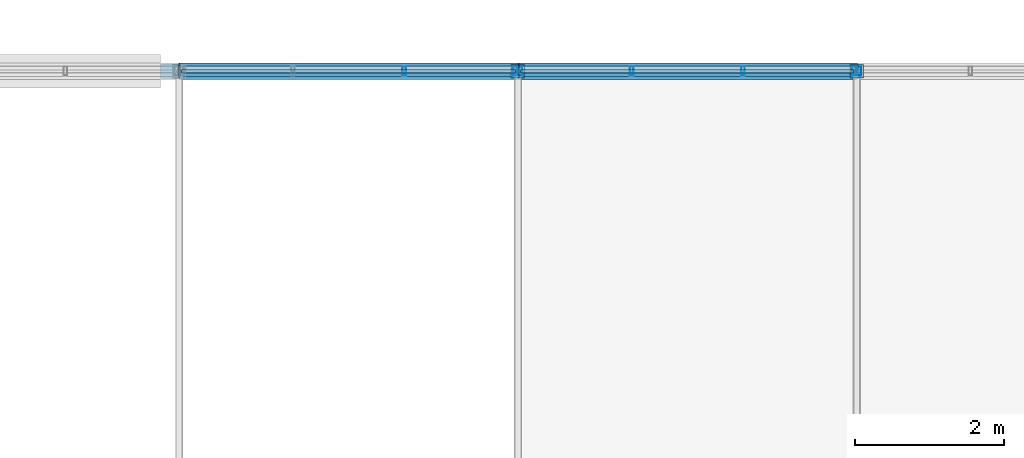
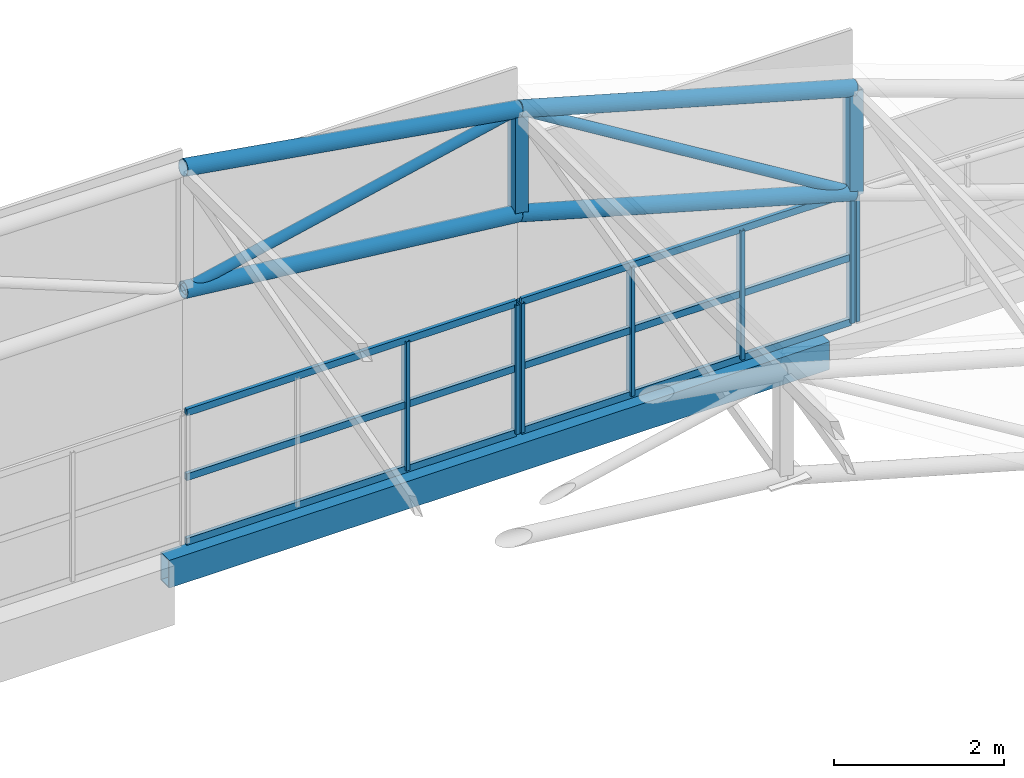
# One storey, part 73 of 101: 21 members, 1 beam, 3 elements without a shape of their own.
"""IFC4 building model written with IfcOpenShell, lengths in metres."""

from ifc_helpers import new_model, si_unit, direction, frame, origin, origin_2d, place, context, subcontext, project, spatial, hollow_rectangle, hollow_circle, extrude, material, material_profile, profile_set, type_object, element, aggregate, save


model = new_model("IFC4")

# Units and contexts
model_context = context("Model", 3, precision=1e-05, world=origin(), true_north=direction((0.0, 1.0)))
body_context = subcontext(model_context, "Body", "Model", "MODEL_VIEW")
ifc_project = project(units=[si_unit("LENGTHUNIT", "METRE"), si_unit("AREAUNIT", "SQUARE_METRE"), si_unit("VOLUMEUNIT", "CUBIC_METRE"), si_unit("PLANEANGLEUNIT", "RADIAN"), si_unit("MASSUNIT", "GRAM", prefix="KILO")], contexts=[model_context])

# Site, building, storey
site_placement = place(None, origin())
site = spatial("IfcSite", under=ifc_project, at=site_placement, CompositionType="ELEMENT")
building_placement = place(site_placement, origin())
building = spatial("IfcBuilding", under=site, at=building_placement, Name="Solvikara Media Centre", CompositionType="ELEMENT")
storey_placement = place(building_placement, frame((0.0, 0.0, 10.199951171875)))
storey = spatial("IfcBuildingStorey", under=building, at=storey_placement, Name="L02", CompositionType="ELEMENT", Elevation=10.199951171875)

# Beam
ifc_material_1 = material(Name="Steel S355JR", Category="steel")
ifc_material_profile_1 = material_profile(ifc_material_1, hollow_rectangle(XDim=0.199951171875, YDim=0.39990234375, WallThickness=0.011962890625, at=origin_2d()), Name="RHS 400x200x12")
ifc_profile_set_1 = profile_set([ifc_material_profile_1], Name="Steel S355JR")
beam_type = type_object("IfcBeamType", Name="BM-33", PredefinedType="SPANDREL", material=ifc_profile_set_1)
beam_placement = place(storey_placement, frame((145.5, 114.0, -0.300048828125), z_axis=(1.0, 0.0, 0.0), x_axis=(0.0, 1.0, 0.0)))
element("IfcBeam", 1, at=beam_placement, inside=storey, type_object=beam_type, Name="B-L02-X0907", PredefinedType="SPANDREL", context=body_context, shape_type="SweptSolid", body=[
    extrude(hollow_rectangle(XDim=0.199951171875, YDim=0.39990234375, WallThickness=0.011962890625, at=origin_2d()), origin(), (0.0, 0.0, 1.0), 9.0),
])

# Members
ifc_material_profile_2 = material_profile(ifc_material_1, hollow_circle(Radius=0.109619140625, WallThickness=0.008056640625, at=origin_2d()), Name="CHS 219.1x8")
ifc_profile_set_2 = profile_set([ifc_material_profile_2], Name="Steel S355JR")
member_type_1 = type_object("IfcMemberType", Name="MB-05", PredefinedType="CHORD", material=ifc_profile_set_2)
member_1_placement = place(storey_placement, frame((145.75, 114.0, 5.41015625), z_axis=(0.986711742418, 0.0, -0.162480575373), x_axis=(0.0, 1.0, 0.0)))
element("IfcMember", 2, at=member_1_placement, inside=storey, type_object=member_type_1, Name="BSB-TC-04-04", PredefinedType="CHORD", context=body_context, shape_type="SweptSolid", body=[
    extrude(hollow_circle(Radius=0.109619140625, WallThickness=0.008056640625, at=origin_2d()), origin(), (0.0, 0.0, 1.0), 4.62353515625),
])
member_2_placement = place(storey_placement, frame((145.75, 114.0, 3.650146484375), z_axis=(0.994253057295, 0.0, -0.107055397157), x_axis=(0.0, 1.0, 0.0)))
element("IfcMember", 3, at=member_2_placement, inside=storey, type_object=member_type_1, Name="BSB-BC-04-04", PredefinedType="CHORD", context=body_context, shape_type="SweptSolid", body=[
    extrude(hollow_circle(Radius=0.109619140625, WallThickness=0.008056640625, at=origin_2d()), origin(), (0.0, 0.0, 1.0), 4.58837890625),
])
for number, where, z_axis, x_axis, name in (
    (4, (150.31201171875, 114.0, 4.658935546875), (0.962119975268, 0.0, -0.272626398556), (0.0, 1.0, 0.0), "BSB-TC-04-05"),
    (5, (150.31201171875, 114.0, 3.158935546875), (0.962119975268, 0.0, -0.272626398556), (0.0, 1.0, 0.0), "BSB-BC-04-05"),
):
    element("IfcMember", number, at=place(storey_placement, frame(where, z_axis=z_axis, x_axis=x_axis)), inside=storey, type_object=member_type_1, Name=name, PredefinedType="CHORD", context=body_context, shape_type="SweptSolid", body=[
        extrude(hollow_circle(Radius=0.109619140625, WallThickness=0.008056640625, at=origin_2d()), origin(), (0.0, 0.0, 1.0), 4.74267578125),
    ])
ifc_material_profile_3 = material_profile(ifc_material_1, hollow_circle(Radius=0.06982421875, WallThickness=0.00634765625, at=origin_2d()), Name="CHS 139.7x6.3")
ifc_profile_set_3 = profile_set([ifc_material_profile_3], Name="Steel S355JR")
member_type_2 = type_object("IfcMemberType", Name="MB-08", PredefinedType="BRACE", material=ifc_profile_set_3)
member_3_placement = place(storey_placement, frame((145.75, 114.0, 3.650146484375), z_axis=(0.976412757167, 0.0, 0.215912314707), x_axis=(0.0, 1.0, 0.0)))
element("IfcMember", 6, at=member_3_placement, inside=storey, type_object=member_type_2, Name="BSB-DG-04-04", PredefinedType="BRACE", context=body_context, shape_type="SweptSolid", body=[
    extrude(hollow_circle(Radius=0.06982421875, WallThickness=0.00634765625, at=origin_2d()), origin(), (0.0, 0.0, 1.0), 4.672119140625),
])
member_4_placement = place(storey_placement, frame((150.31201171875, 114.0, 4.658935546875), z_axis=(0.852909361519, 0.0, -0.522059020641), x_axis=(0.0, 1.0, 0.0)))
element("IfcMember", 7, at=member_4_placement, inside=storey, type_object=member_type_2, Name="BSB-DG-04-05", PredefinedType="BRACE", context=body_context, shape_type="SweptSolid", body=[
    extrude(hollow_circle(Radius=0.06982421875, WallThickness=0.00634765625, at=origin_2d()), origin(), (0.0, 0.0, 1.0), 5.349853515625),
])
ifc_material_profile_4 = material_profile(ifc_material_1, hollow_rectangle(XDim=0.179931640625, YDim=0.179931640625, WallThickness=0.008056640625, at=origin_2d()), Name="RHS 180x180x8")
ifc_profile_set_4 = profile_set([ifc_material_profile_4], Name="Steel S355JR")
member_type_3 = type_object("IfcMemberType", Name="MB-14", PredefinedType="BRACE", material=ifc_profile_set_4)
for number, where, z_axis, x_axis, name in (
    (8, (150.31201171875, 114.0, 3.158935546875), (0.0, 0.0, 1.0), (1.0, 0.0, 0.0), "BSB-VT-04-05"),
    (9, (154.875, 114.0, 1.865966796875), (0.0, 0.0, 1.0), (1.0, 0.0, 0.0), "BSB-VT-04-06"),
):
    element("IfcMember", number, at=place(storey_placement, frame(where, z_axis=z_axis, x_axis=x_axis)), inside=storey, type_object=member_type_3, Name=name, PredefinedType="BRACE", context=body_context, shape_type="SweptSolid", body=[
        extrude(hollow_rectangle(XDim=0.179931640625, YDim=0.179931640625, WallThickness=0.008056640625, at=origin_2d()), origin(), (0.0, 0.0, 1.0), 1.5),
    ])

# Curtain wall, members
ifc_material_2 = material(Name="Anodised aluminium EN AW-6063", Category="aluminium")
curtain_wall_type = type_object("IfcCurtainWallType", Name="CW-12", PredefinedType="NOTDEFINED", material=ifc_material_2)
curtain_wall_1_placement = place(storey_placement, origin())
curtain_wall_1 = element("IfcCurtainWall", 10, at=curtain_wall_1_placement, inside=storey, type_object=curtain_wall_type, Name="CW-BSBN-CLR-04", PredefinedType="NOTDEFINED")
ifc_material_profile_5 = material_profile(ifc_material_2, hollow_rectangle(XDim=0.050048828125, YDim=0.1201171875, WallThickness=0.0029296875, at=origin_2d()), Name="ALU-M 50x120x3")
ifc_profile_set_5 = profile_set([ifc_material_profile_5], Name="Anodised aluminium EN AW-6063")
member_type_4 = type_object("IfcMemberType", Name="MF-06", PredefinedType="MULLION", material=ifc_profile_set_5)
member_5_placement = place(storey_placement, frame((148.780029296875, 114.0, 0.02001953125), z_axis=(0.0, 0.0, 1.0), x_axis=(1.0, 0.0, 0.0)))
member_5 = element("IfcMember", 11, at=member_5_placement, type_object=member_type_4, Name="CW-BSBN-CLR-04-M02", PredefinedType="MULLION", context=body_context, shape_type="SweptSolid", body=[
    extrude(hollow_rectangle(XDim=0.050048828125, YDim=0.1201171875, WallThickness=0.0029296875, at=origin_2d()), origin(), (0.0, 0.0, 1.0), 1.860107421875),
])
member_6_placement = place(storey_placement, frame((150.277099609375, 114.0, 0.02001953125), z_axis=(0.0, 0.0, 1.0), x_axis=(1.0, 0.0, 0.0)))
member_6 = element("IfcMember", 12, at=member_6_placement, type_object=member_type_4, Name="CW-BSBN-CLR-04-M03", PredefinedType="MULLION", context=body_context, shape_type="SweptSolid", body=[
    extrude(hollow_rectangle(XDim=0.050048828125, YDim=0.1201171875, WallThickness=0.0029296875, at=origin_2d()), origin(), (0.0, 0.0, 1.0), 1.860107421875),
])

curtain_wall_2_placement = place(storey_placement, origin())
curtain_wall_2 = element("IfcCurtainWall", 13, at=curtain_wall_2_placement, inside=storey, type_object=curtain_wall_type, Name="CW-BSBN-CLR-05", PredefinedType="NOTDEFINED")
member_7_placement = place(storey_placement, frame((150.346923828125, 114.0, 0.02001953125), z_axis=(0.0, 0.0, 1.0), x_axis=(1.0, 0.0, 0.0)))
member_7 = element("IfcMember", 14, at=member_7_placement, type_object=member_type_4, Name="CW-BSBN-CLR-05-M00", PredefinedType="MULLION", context=body_context, shape_type="SweptSolid", body=[
    extrude(hollow_rectangle(XDim=0.050048828125, YDim=0.1201171875, WallThickness=0.0029296875, at=origin_2d()), origin(), (0.0, 0.0, 1.0), 1.860107421875),
])
member_8_placement = place(storey_placement, frame((151.844970703125, 114.0, 0.02001953125), z_axis=(0.0, 0.0, 1.0), x_axis=(1.0, 0.0, 0.0)))
member_8 = element("IfcMember", 15, at=member_8_placement, type_object=member_type_4, Name="CW-BSBN-CLR-05-M01", PredefinedType="MULLION", context=body_context, shape_type="SweptSolid", body=[
    extrude(hollow_rectangle(XDim=0.050048828125, YDim=0.1201171875, WallThickness=0.0029296875, at=origin_2d()), origin(), (0.0, 0.0, 1.0), 1.860107421875),
])
member_9_placement = place(storey_placement, frame((153.342041015625, 114.0, 0.02001953125), z_axis=(0.0, 0.0, 1.0), x_axis=(1.0, 0.0, 0.0)))
member_9 = element("IfcMember", 16, at=member_9_placement, type_object=member_type_4, Name="CW-BSBN-CLR-05-M02", PredefinedType="MULLION", context=body_context, shape_type="SweptSolid", body=[
    extrude(hollow_rectangle(XDim=0.050048828125, YDim=0.1201171875, WallThickness=0.0029296875, at=origin_2d()), origin(), (0.0, 0.0, 1.0), 1.860107421875),
])
member_10_placement = place(storey_placement, frame((154.840087890625, 114.0, 0.02001953125), z_axis=(0.0, 0.0, 1.0), x_axis=(1.0, 0.0, 0.0)))
member_10 = element("IfcMember", 17, at=member_10_placement, type_object=member_type_4, Name="CW-BSBN-CLR-05-M03", PredefinedType="MULLION", context=body_context, shape_type="SweptSolid", body=[
    extrude(hollow_rectangle(XDim=0.050048828125, YDim=0.1201171875, WallThickness=0.0029296875, at=origin_2d()), origin(), (0.0, 0.0, 1.0), 1.860107421875),
])

# Curtain wall, member
curtain_wall_3_placement = place(storey_placement, origin())
curtain_wall_3 = element("IfcCurtainWall", 18, at=curtain_wall_3_placement, inside=storey, type_object=curtain_wall_type, Name="CW-BSBN-CLR-06", PredefinedType="NOTDEFINED")
member_11_placement = place(storey_placement, frame((154.909912109375, 114.0, 0.02001953125), z_axis=(0.0, 0.0, 1.0), x_axis=(1.0, 0.0, 0.0)))
member_11 = element("IfcMember", 19, at=member_11_placement, type_object=member_type_4, Name="CW-BSBN-CLR-06-M00", PredefinedType="MULLION", context=body_context, shape_type="SweptSolid", body=[
    extrude(hollow_rectangle(XDim=0.050048828125, YDim=0.1201171875, WallThickness=0.0029296875, at=origin_2d()), origin(), (0.0, 0.0, 1.0), 1.860107421875),
])
aggregate(curtain_wall_3, [member_11])

# Member
ifc_material_profile_6 = material_profile(ifc_material_2, hollow_rectangle(XDim=0.050048828125, YDim=0.10009765625, WallThickness=0.0029296875, at=origin_2d()), Name="ALU-T 50x100x3")
ifc_profile_set_6 = profile_set([ifc_material_profile_6], Name="Anodised aluminium EN AW-6063")
member_type_5 = type_object("IfcMemberType", Name="MF-12", PredefinedType="USERDEFINED", material=ifc_profile_set_6)
member_12_placement = place(storey_placement, frame((145.784912109375, 114.0, 0.02001953125), z_axis=(1.0, 0.0, 0.0), x_axis=(0.0, 1.0, 0.0)))
member_12 = element("IfcMember", 20, at=member_12_placement, type_object=member_type_5, Name="CW-BSBN-CLR-04-T00", ObjectType="TRANSOM", PredefinedType="USERDEFINED", context=body_context, shape_type="SweptSolid", body=[
    extrude(hollow_rectangle(XDim=0.050048828125, YDim=0.10009765625, WallThickness=0.0029296875, at=origin_2d()), origin(), (0.0, 0.0, 1.0), 4.4921875),
])

member_13_placement = place(storey_placement, frame((145.784912109375, 114.0, 0.949951171875), z_axis=(1.0, 0.0, 0.0), x_axis=(0.0, 1.0, 0.0)))
member_13 = element("IfcMember", 21, at=member_13_placement, type_object=member_type_5, Name="CW-BSBN-CLR-04-T01", ObjectType="TRANSOM", PredefinedType="USERDEFINED", context=body_context, shape_type="SweptSolid", body=[
    extrude(hollow_rectangle(XDim=0.050048828125, YDim=0.10009765625, WallThickness=0.0029296875, at=origin_2d()), origin(), (0.0, 0.0, 1.0), 4.4921875),
])

member_14_placement = place(storey_placement, frame((145.784912109375, 114.0, 1.880126953125), z_axis=(1.0, 0.0, 0.0), x_axis=(0.0, 1.0, 0.0)))
member_14 = element("IfcMember", 22, at=member_14_placement, type_object=member_type_5, Name="CW-BSBN-CLR-04-T02", ObjectType="TRANSOM", PredefinedType="USERDEFINED", context=body_context, shape_type="SweptSolid", body=[
    extrude(hollow_rectangle(XDim=0.050048828125, YDim=0.10009765625, WallThickness=0.0029296875, at=origin_2d()), origin(), (0.0, 0.0, 1.0), 4.4921875),
])

aggregate(curtain_wall_1, [member_5, member_6, member_12, member_13, member_14])

member_15_placement = place(storey_placement, frame((150.346923828125, 114.0, 0.02001953125), z_axis=(1.0, 0.0, 0.0), x_axis=(0.0, 1.0, 0.0)))
member_15 = element("IfcMember", 23, at=member_15_placement, type_object=member_type_5, Name="CW-BSBN-CLR-05-T00", ObjectType="TRANSOM", PredefinedType="USERDEFINED", context=body_context, shape_type="SweptSolid", body=[
    extrude(hollow_rectangle(XDim=0.050048828125, YDim=0.10009765625, WallThickness=0.0029296875, at=origin_2d()), origin(), (0.0, 0.0, 1.0), 4.4931640625),
])

member_16_placement = place(storey_placement, frame((150.346923828125, 114.0, 0.949951171875), z_axis=(1.0, 0.0, 0.0), x_axis=(0.0, 1.0, 0.0)))
member_16 = element("IfcMember", 24, at=member_16_placement, type_object=member_type_5, Name="CW-BSBN-CLR-05-T01", ObjectType="TRANSOM", PredefinedType="USERDEFINED", context=body_context, shape_type="SweptSolid", body=[
    extrude(hollow_rectangle(XDim=0.050048828125, YDim=0.10009765625, WallThickness=0.0029296875, at=origin_2d()), origin(), (0.0, 0.0, 1.0), 4.4931640625),
])

member_17_placement = place(storey_placement, frame((150.346923828125, 114.0, 1.880126953125), z_axis=(1.0, 0.0, 0.0), x_axis=(0.0, 1.0, 0.0)))
member_17 = element("IfcMember", 25, at=member_17_placement, type_object=member_type_5, Name="CW-BSBN-CLR-05-T02", ObjectType="TRANSOM", PredefinedType="USERDEFINED", context=body_context, shape_type="SweptSolid", body=[
    extrude(hollow_rectangle(XDim=0.050048828125, YDim=0.10009765625, WallThickness=0.0029296875, at=origin_2d()), origin(), (0.0, 0.0, 1.0), 4.4931640625),
])

aggregate(curtain_wall_2, [member_7, member_8, member_9, member_10, member_15, member_16, member_17])

save(model, "model.ifc")
